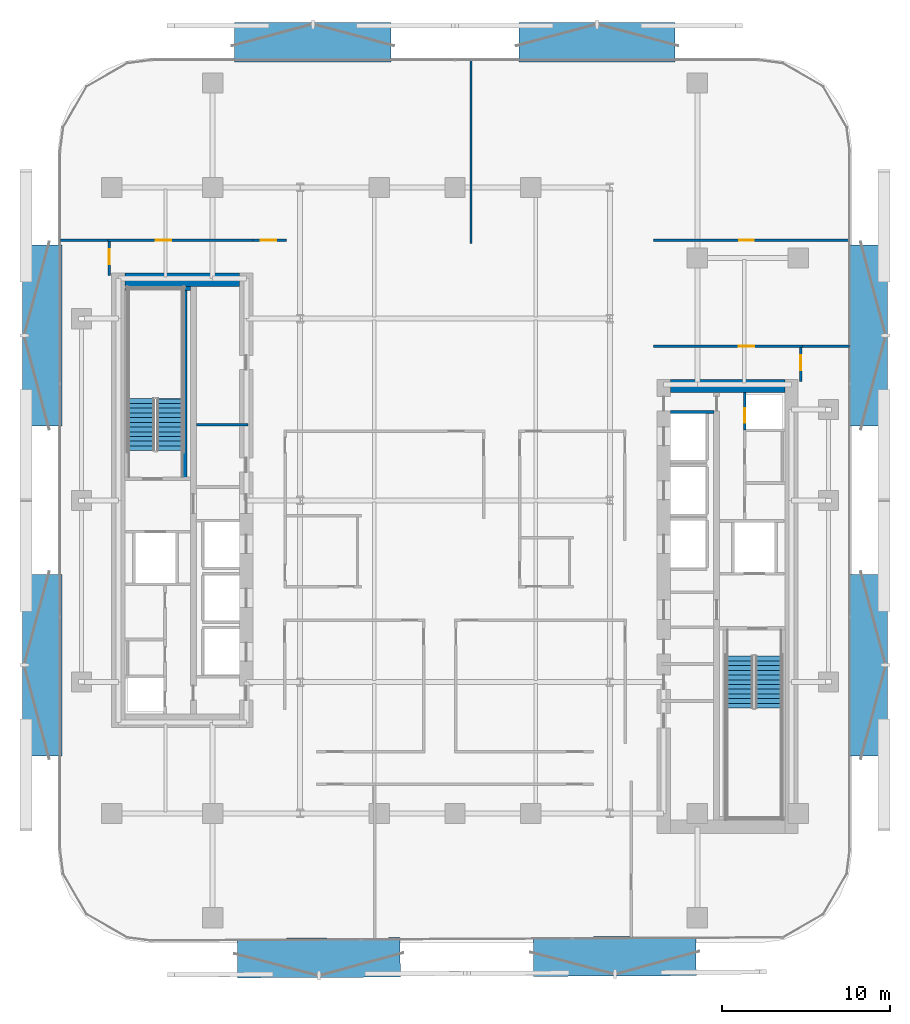
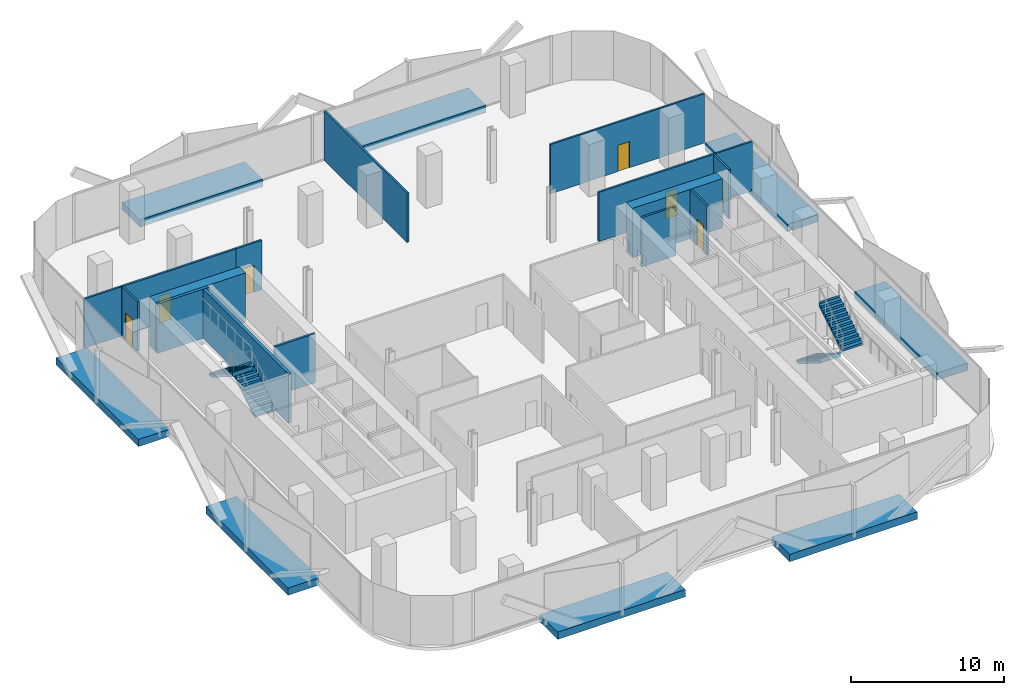
# One storey, part 6 of 15: 16 walls, 8 discrete accessories, 7 doors, 4 stair flights, 7 openings, 2 elements without a shape of their own.
"""IFC4 building model written with IfcOpenShell, lengths in metres."""

from ifc_helpers import new_model, si_unit, direction, frame, frame_2d, origin, origin_2d, place, context, subcontext, project, spatial, polyline, rectangle, outline, extrude, material, layer, layer_set, type_object, element, fill, aggregate, save


model = new_model("IFC4")

# Units and contexts
model_context = context("Model", 3, precision=1e-05, world=origin(), true_north=direction((0.0, 1.0)))
body_context = subcontext(model_context, "Body", "Model", "MODEL_VIEW")
ifc_project = project(units=[si_unit("LENGTHUNIT", "METRE"), si_unit("AREAUNIT", "SQUARE_METRE"), si_unit("VOLUMEUNIT", "CUBIC_METRE"), si_unit("PLANEANGLEUNIT", "RADIAN"), si_unit("MASSUNIT", "GRAM", prefix="KILO")], contexts=[model_context])

# Site, building, storey
site_placement = place(None, origin())
site = spatial("IfcSite", under=ifc_project, at=site_placement, CompositionType="ELEMENT")
building_placement = place(site_placement, origin())
building = spatial("IfcBuilding", under=site, at=building_placement, Name="Khairoan Windgate Tower", CompositionType="ELEMENT")
storey_placement = place(building_placement, frame((0.0, 0.0, 114.199951171875)))
storey = spatial("IfcBuildingStorey", under=building, at=storey_placement, Name="L26", CompositionType="ELEMENT", Elevation=114.199951171875)

# Walls
ifc_material_1 = material(Name="Concrete C40/50", Category="concrete")
ifc_layer_1 = layer(ifc_material_1, 0.159912109375, Name="Concrete C40/50")
ifc_layer_set_1 = layer_set([ifc_layer_1], Name="Concrete C40/50")
wall_type_1 = type_object("IfcWallType", Name="Core and Hoistway Enclosure Wall", PredefinedType="STANDARD", material=ifc_layer_set_1)
wall_1_placement = place(storey_placement, frame((12.800048828125, 5.25, 0.0), z_axis=(0.0, 0.0, 1.0), x_axis=(1.0, 0.0, 0.0)))
element("IfcWall", 1, at=wall_1_placement, inside=storey, type_object=wall_type_1, Name="L26 Core Shaft Wall SW-ESV-L26", PredefinedType="STANDARD", context=body_context, shape_type="SweptSolid", body=[
    extrude(rectangle(XDim=2.599853515625, YDim=0.159912109375, at=frame_2d((1.2998046875, 0.0))), origin(), (0.0, 0.0, 1.0), 3.93994140625),
])
ifc_material_2 = material(Name="Acoustic Fire-Rated Gypsum Partition", Category="gypsum")
ifc_layer_2 = layer(ifc_material_2, 0.139892578125, Name="Acoustic Fire-Rated Gypsum Partition")
ifc_layer_set_2 = layer_set([ifc_layer_2], Name="Acoustic Fire-Rated Gypsum Partition")
wall_type_2 = type_object("IfcWallType", Name="Inter-Tenancy Compartment Wall", PredefinedType="PARTITIONING", material=ifc_layer_set_2)
for number, where, z_axis, x_axis, name in (
    (2, (-23.455078125, 15.4599609375, 0.0), (0.0, 0.0, 1.0), (1.0, 0.0, 0.0), "L26 Interior Partition 039"),
    (3, (20.639892578125, 9.159912109375, 0.0), (0.0, 0.0, 1.0), (1.0, 0.0, 0.0), "L26 Interior Partition 040"),
):
    element("IfcWall", number, at=place(storey_placement, frame(where, z_axis=z_axis, x_axis=x_axis)), inside=storey, type_object=wall_type_2, Name=name, PredefinedType="PARTITIONING", context=body_context, shape_type="SweptSolid", body=[
        extrude(rectangle(XDim=2.815185546875, YDim=0.139892578125, at=frame_2d((1.40771484375, 0.0))), origin(), (0.0, 0.0, 1.0), 3.93994140625),
    ])

# Wall, opening, door
wall_2_placement = place(storey_placement, frame((11.81005859375, 15.4599609375, 0.0), z_axis=(0.0, 0.0, 1.0), x_axis=(1.0, 0.0, 0.0)))
wall_2 = element("IfcWall", 4, at=wall_2_placement, inside=storey, type_object=wall_type_2, Name="L26 Interior Partition 041", PredefinedType="PARTITIONING", context=body_context, shape_type="SweptSolid", body=[
    extrude(rectangle(XDim=11.64501953125, YDim=0.139892578125, at=frame_2d((5.822509765625, 0.0))), origin(), (0.0, 0.0, 1.0), 3.93994140625),
])
opening_1_placement = place(wall_2_placement, frame((5.09521484375, 0.0, 0.0)))
opening_1 = element("IfcOpeningElement", 5, at=opening_1_placement, cuts=wall_2, Name="Opening FD-SRV", PredefinedType="OPENING", context=body_context, shape_type="SweptSolid", body=[
    extrude(rectangle(XDim=0.85009765625, YDim=2.10009765625, at=frame_2d((0.425048828125, 1.050048828125))), frame((0.0, 0.079833984375, 0.0), z_axis=(0.0, -1.0, 0.0), x_axis=(1.0, 0.0, 0.0)), (0.0, 0.0, 1.0), 0.159912109375),
])
ifc_material_3 = material(Name="Steel S355", Category="steel")
door_type_1 = type_object("IfcDoorType", Name="Core Service and Riser Fire Door FD-SRV 850x2100", OperationType="NOTDEFINED", PredefinedType="DOOR", material=ifc_material_3)
door_1_placement = place(opening_1_placement, origin())
door_1 = element("IfcDoor", 6, at=door_1_placement, inside=storey, type_object=door_type_1, Name="L26 L26-41-L26-43 Door", OperationType="SINGLE_SWING_LEFT", OverallHeight=2.10009765625, OverallWidth=0.85009765625, PredefinedType="DOOR", context=body_context, shape_type="SweptSolid", body=[
    extrude(rectangle(XDim=0.85009765625, YDim=2.10009765625, at=frame_2d((0.425048828125, 1.050048828125))), frame((0.0, 0.02490234375, 0.0), z_axis=(0.0, -1.0, 0.0), x_axis=(1.0, 0.0, 0.0)), (0.0, 0.0, 1.0), 0.050048828125),
])
fill(opening_1, door_1)

# Walls
wall_3_placement = place(storey_placement, frame((0.951904296875, 15.280029296875, 0.0), z_axis=(0.0, 0.0, 1.0), x_axis=(0.0, 1.0, 0.0)))
element("IfcWall", 7, at=wall_3_placement, inside=storey, type_object=wall_type_2, Name="L26 Interior Partition 042", PredefinedType="PARTITIONING", context=body_context, shape_type="SweptSolid", body=[
    extrude(rectangle(XDim=10.875, YDim=0.139892578125, at=frame_2d((5.4375, 0.0))), origin(), (0.0, 0.0, 1.0), 3.93994140625),
])
ifc_material_4 = material(Name="Concrete C40/50", Category="concrete")
ifc_layer_3 = layer(ifc_material_4, 0.159912109375, Name="Concrete C40/50")
ifc_layer_set_3 = layer_set([ifc_layer_3], Name="Concrete C40/50")
wall_type_3 = type_object("IfcWallType", Name="Plant and Refuge Compartment Wall", PredefinedType="PARTITIONING", material=ifc_layer_set_3)
wall_4_placement = place(storey_placement, frame((-15.375, 4.5, 0.0), z_axis=(0.0, 0.0, 1.0), x_axis=(1.0, 0.0, 0.0)))
element("IfcWall", 8, at=wall_4_placement, inside=storey, type_object=wall_type_3, Name="L26 Interior Partition 006", PredefinedType="PARTITIONING", context=body_context, shape_type="SweptSolid", body=[
    extrude(rectangle(XDim=3.06494140625, YDim=0.159912109375, at=frame_2d((1.532470703125, 0.0))), origin(), (0.0, 0.0, 1.0), 3.93994140625),
])

# Wall, opening, door
wall_5_placement = place(storey_placement, frame((17.22998046875, 4.169921875, 0.0), z_axis=(0.0, 0.0, 1.0), x_axis=(0.0, 1.0, 0.0)))
wall_5 = element("IfcWall", 9, at=wall_5_placement, inside=storey, type_object=wall_type_3, Name="L26 Interior Partition 007", PredefinedType="PARTITIONING", context=body_context, shape_type="SweptSolid", body=[
    extrude(rectangle(XDim=2.22998046875, YDim=0.159912109375, at=frame_2d((1.114990234375, 0.0))), origin(), (0.0, 0.0, 1.0), 3.93994140625),
])
opening_2_placement = place(wall_5_placement, frame((0.4599609375, 0.0, 0.0)))
opening_2 = element("IfcOpeningElement", 10, at=opening_2_placement, cuts=wall_5, Name="Opening FD-SRV", PredefinedType="OPENING", context=body_context, shape_type="SweptSolid", body=[
    extrude(rectangle(XDim=0.85009765625, YDim=2.10009765625, at=frame_2d((0.425048828125, 1.050048828125))), frame((0.0, 0.08984375, 0.0), z_axis=(0.0, -1.0, 0.0), x_axis=(1.0, 0.0, 0.0)), (0.0, 0.0, 1.0), 0.179931640625),
])
door_2_placement = place(opening_2_placement, origin())
door_2 = element("IfcDoor", 11, at=door_2_placement, inside=storey, type_object=door_type_1, Name="L26 L26-18-L26-19 Door", OperationType="SINGLE_SWING_LEFT", OverallHeight=2.10009765625, OverallWidth=0.85009765625, PredefinedType="DOOR", context=body_context, shape_type="SweptSolid", body=[
    extrude(rectangle(XDim=0.85009765625, YDim=2.10009765625, at=frame_2d((0.425048828125, 1.050048828125))), frame((0.0, 0.02490234375, 0.0), z_axis=(0.0, -1.0, 0.0), x_axis=(1.0, 0.0, 0.0)), (0.0, 0.0, 1.0), 0.050048828125),
])
fill(opening_2, door_2)

ifc_material_5 = material(Name="Acoustic Fire-Rated Gypsum Partition", Category="gypsum")
ifc_layer_4 = layer(ifc_material_5, 0.14990234375, Name="Acoustic Fire-Rated Gypsum Partition")
ifc_layer_set_4 = layer_set([ifc_layer_4], Name="Acoustic Fire-Rated Gypsum Partition")
wall_type_4 = type_object("IfcWallType", Name="Rated Corridor Partition Wall", PredefinedType="PARTITIONING", material=ifc_layer_set_4)
wall_6_placement = place(storey_placement, frame((-11.989990234375, 15.4599609375, 0.0), z_axis=(0.0, 0.0, 1.0), x_axis=(1.0, 0.0, 0.0)))
wall_6 = element("IfcWall", 12, at=wall_6_placement, inside=storey, type_object=wall_type_4, Name="L26 Interior Partition 014", PredefinedType="PARTITIONING", context=body_context, shape_type="SweptSolid", body=[
    extrude(rectangle(XDim=1.97998046875, YDim=0.14990234375, at=frame_2d((0.989990234375, 0.0))), origin(), (0.0, 0.0, 1.0), 3.93994140625),
])
opening_3_placement = place(wall_6_placement, frame((0.4599609375, 0.0, 0.0)))
opening_3 = element("IfcOpeningElement", 13, at=opening_3_placement, cuts=wall_6, Name="Opening FD-ENT", PredefinedType="OPENING", context=body_context, shape_type="SweptSolid", body=[
    extrude(rectangle(XDim=0.89990234375, YDim=2.14990234375, at=frame_2d((0.449951171875, 1.074951171875))), frame((0.0, 0.0849609375, 0.0), z_axis=(0.0, -1.0, 0.0), x_axis=(1.0, 0.0, 0.0)), (0.0, 0.0, 1.0), 0.169921875),
])
ifc_material_6 = material(Name="Timber Fire-Rated Core", Category="wood")
door_type_2 = type_object("IfcDoorType", Name="Unit and Office Fire Entrance Door FD-ENT 900x2150", OperationType="NOTDEFINED", PredefinedType="DOOR", material=ifc_material_6)
door_3_placement = place(opening_3_placement, origin())
door_3 = element("IfcDoor", 14, at=door_3_placement, inside=storey, type_object=door_type_2, Name="L26 L26-30-L26-42 Door", OperationType="SINGLE_SWING_RIGHT", OverallHeight=2.14990234375, OverallWidth=0.89990234375, PredefinedType="DOOR", context=body_context, shape_type="SweptSolid", body=[
    extrude(rectangle(XDim=0.89990234375, YDim=2.14990234375, at=frame_2d((0.449951171875, 1.074951171875))), frame((0.0, 0.02490234375, 0.0), z_axis=(0.0, -1.0, 0.0), x_axis=(1.0, 0.0, 0.0)), (0.0, 0.0, 1.0), 0.050048828125),
])
fill(opening_3, door_3)

wall_7_placement = place(storey_placement, frame((-20.5400390625, 13.360107421875, 0.0), z_axis=(0.0, 0.0, 1.0), x_axis=(0.0, 1.0, 0.0)))
wall_7 = element("IfcWall", 15, at=wall_7_placement, inside=storey, type_object=wall_type_4, Name="L26 Interior Partition 029", PredefinedType="PARTITIONING", context=body_context, shape_type="SweptSolid", body=[
    extrude(rectangle(XDim=2.02490234375, YDim=0.14990234375, at=frame_2d((1.012451171875, 0.0))), origin(), (0.0, 0.0, 1.0), 3.93994140625),
])
opening_4_placement = place(wall_7_placement, frame((0.6650390625, 0.0, 0.0)))
opening_4 = element("IfcOpeningElement", 16, at=opening_4_placement, cuts=wall_7, Name="Opening FD-ENT", PredefinedType="OPENING", context=body_context, shape_type="SweptSolid", body=[
    extrude(rectangle(XDim=0.89990234375, YDim=2.14990234375, at=frame_2d((0.449951171875, 1.074951171875))), frame((0.0, 0.0849609375, 0.0), z_axis=(0.0, -1.0, 0.0), x_axis=(1.0, 0.0, 0.0)), (0.0, 0.0, 1.0), 0.169921875),
])
door_4_placement = place(opening_4_placement, origin())
door_4 = element("IfcDoor", 17, at=door_4_placement, inside=storey, type_object=door_type_2, Name="L26 L26-35-L26-39 Door", OperationType="SINGLE_SWING_LEFT", OverallHeight=2.14990234375, OverallWidth=0.89990234375, PredefinedType="DOOR", context=body_context, shape_type="SweptSolid", body=[
    extrude(rectangle(XDim=0.89990234375, YDim=2.14990234375, at=frame_2d((0.449951171875, 1.074951171875))), frame((0.0, 0.02490234375, 0.0), z_axis=(0.0, -1.0, 0.0), x_axis=(1.0, 0.0, 0.0)), (0.0, 0.0, 1.0), 0.050048828125),
])
fill(opening_4, door_4)

wall_8_placement = place(storey_placement, frame((-20.639892578125, 15.4599609375, 0.0), z_axis=(0.0, 0.0, 1.0), x_axis=(1.0, 0.0, 0.0)))
wall_8 = element("IfcWall", 18, at=wall_8_placement, inside=storey, type_object=wall_type_4, Name="L26 Interior Partition 030", PredefinedType="PARTITIONING", context=body_context, shape_type="SweptSolid", body=[
    extrude(rectangle(XDim=8.64990234375, YDim=0.14990234375, at=frame_2d((4.324951171875, 0.0))), origin(), (0.0, 0.0, 1.0), 3.93994140625),
])
opening_5_placement = place(wall_8_placement, frame((2.87060546875, 0.0, 0.0)))
opening_5 = element("IfcOpeningElement", 19, at=opening_5_placement, cuts=wall_8, Name="Opening FD-ENT", PredefinedType="OPENING", context=body_context, shape_type="SweptSolid", body=[
    extrude(rectangle(XDim=0.89990234375, YDim=2.14990234375, at=frame_2d((0.449951171875, 1.074951171875))), frame((0.0, 0.0849609375, 0.0), z_axis=(0.0, -1.0, 0.0), x_axis=(1.0, 0.0, 0.0)), (0.0, 0.0, 1.0), 0.169921875),
])
door_5_placement = place(opening_5_placement, origin())
door_5 = element("IfcDoor", 20, at=door_5_placement, inside=storey, type_object=door_type_2, Name="L26 L26-35-L26-42 Door", OperationType="SINGLE_SWING_RIGHT", OverallHeight=2.14990234375, OverallWidth=0.89990234375, PredefinedType="DOOR", context=body_context, shape_type="SweptSolid", body=[
    extrude(rectangle(XDim=0.89990234375, YDim=2.14990234375, at=frame_2d((0.449951171875, 1.074951171875))), frame((0.0, 0.02490234375, 0.0), z_axis=(0.0, -1.0, 0.0), x_axis=(1.0, 0.0, 0.0)), (0.0, 0.0, 1.0), 0.050048828125),
])
fill(opening_5, door_5)

wall_9_placement = place(storey_placement, frame((20.5400390625, 7.06005859375, 0.0), z_axis=(0.0, 0.0, 1.0), x_axis=(0.0, 1.0, 0.0)))
wall_9 = element("IfcWall", 21, at=wall_9_placement, inside=storey, type_object=wall_type_4, Name="L26 Interior Partition 031", PredefinedType="PARTITIONING", context=body_context, shape_type="SweptSolid", body=[
    extrude(rectangle(XDim=2.02490234375, YDim=0.14990234375, at=frame_2d((1.012451171875, 0.0))), origin(), (0.0, 0.0, 1.0), 3.93994140625),
])
opening_6_placement = place(wall_9_placement, frame((0.6650390625, 0.0, 0.0)))
opening_6 = element("IfcOpeningElement", 22, at=opening_6_placement, cuts=wall_9, Name="Opening FD-ENT", PredefinedType="OPENING", context=body_context, shape_type="SweptSolid", body=[
    extrude(rectangle(XDim=0.89990234375, YDim=2.14990234375, at=frame_2d((0.449951171875, 1.074951171875))), frame((0.0, 0.0849609375, 0.0), z_axis=(0.0, -1.0, 0.0), x_axis=(1.0, 0.0, 0.0)), (0.0, 0.0, 1.0), 0.169921875),
])
door_6_placement = place(opening_6_placement, origin())
door_6 = element("IfcDoor", 23, at=door_6_placement, inside=storey, type_object=door_type_2, Name="L26 L26-36-L26-40 Door", OperationType="SINGLE_SWING_LEFT", OverallHeight=2.14990234375, OverallWidth=0.89990234375, PredefinedType="DOOR", context=body_context, shape_type="SweptSolid", body=[
    extrude(rectangle(XDim=0.89990234375, YDim=2.14990234375, at=frame_2d((0.449951171875, 1.074951171875))), frame((0.0, 0.02490234375, 0.0), z_axis=(0.0, -1.0, 0.0), x_axis=(1.0, 0.0, 0.0)), (0.0, 0.0, 1.0), 0.050048828125),
])
fill(opening_6, door_6)

wall_10_placement = place(storey_placement, frame((11.81005859375, 9.159912109375, 0.0), z_axis=(0.0, 0.0, 1.0), x_axis=(1.0, 0.0, 0.0)))
wall_10 = element("IfcWall", 24, at=wall_10_placement, inside=storey, type_object=wall_type_4, Name="L26 Interior Partition 032", PredefinedType="PARTITIONING", context=body_context, shape_type="SweptSolid", body=[
    extrude(rectangle(XDim=8.829833984375, YDim=0.14990234375, at=frame_2d((4.4150390625, 0.0))), origin(), (0.0, 0.0, 1.0), 3.93994140625),
])
opening_7_placement = place(wall_10_placement, frame((5.066650390625, 0.0, 0.0)))
opening_7 = element("IfcOpeningElement", 25, at=opening_7_placement, cuts=wall_10, Name="Opening FD-ENT", PredefinedType="OPENING", context=body_context, shape_type="SweptSolid", body=[
    extrude(rectangle(XDim=0.89990234375, YDim=2.14990234375, at=frame_2d((0.449951171875, 1.074951171875))), frame((0.0, 0.0849609375, 0.0), z_axis=(0.0, -1.0, 0.0), x_axis=(1.0, 0.0, 0.0)), (0.0, 0.0, 1.0), 0.169921875),
])
door_7_placement = place(opening_7_placement, origin())
door_7 = element("IfcDoor", 26, at=door_7_placement, inside=storey, type_object=door_type_2, Name="L26 L26-36-L26-41 Door", OperationType="SINGLE_SWING_RIGHT", OverallHeight=2.14990234375, OverallWidth=0.89990234375, PredefinedType="DOOR", context=body_context, shape_type="SweptSolid", body=[
    extrude(rectangle(XDim=0.89990234375, YDim=2.14990234375, at=frame_2d((0.449951171875, 1.074951171875))), frame((0.0, 0.02490234375, 0.0), z_axis=(0.0, -1.0, 0.0), x_axis=(1.0, 0.0, 0.0)), (0.0, 0.0, 1.0), 0.050048828125),
])
fill(opening_7, door_7)

# Walls
ifc_material_7 = material(Name="Concrete C70/85", Category="concrete")
ifc_layer_5 = layer(ifc_material_7, 0.800048828125, Name="Concrete C70/85")
ifc_layer_set_5 = layer_set([ifc_layer_5], Name="Concrete C70/85")
wall_type_5 = type_object("IfcWallType", Name="Shear Wall CW-E1 800mm", PredefinedType="SHEAR", material=ifc_layer_set_5)
wall_11_placement = place(storey_placement, frame((12.800048828125, 6.800048828125, 0.0), z_axis=(0.0, 0.0, 1.0), x_axis=(1.0, 0.0, 0.0)))
element("IfcWall", 27, at=wall_11_placement, inside=storey, type_object=wall_type_5, Name="E Core North Shear Wall L26", PredefinedType="SHEAR", context=body_context, shape_type="SweptSolid", body=[
    extrude(rectangle(XDim=6.800048828125, YDim=0.800048828125, at=frame_2d((3.39990234375, 0.0))), origin(), (0.0, 0.0, 1.0), 3.93994140625),
])
ifc_material_8 = material(Name="Concrete C70/85", Category="concrete")
ifc_layer_6 = layer(ifc_material_8, 0.800048828125, Name="Concrete C70/85")
ifc_layer_set_6 = layer_set([ifc_layer_6], Name="Concrete C70/85")
wall_type_6 = type_object("IfcWallType", Name="Shear Wall CW-W1 800mm", PredefinedType="SHEAR", material=ifc_layer_set_6)
wall_12_placement = place(storey_placement, frame((-19.60009765625, 13.10009765625, 0.0), z_axis=(0.0, 0.0, 1.0), x_axis=(1.0, 0.0, 0.0)))
element("IfcWall", 28, at=wall_12_placement, inside=storey, type_object=wall_type_6, Name="W Core North Shear Wall L26", PredefinedType="SHEAR", context=body_context, shape_type="SweptSolid", body=[
    extrude(rectangle(XDim=6.800048828125, YDim=0.800048828125, at=frame_2d((3.39990234375, 0.0))), origin(), (0.0, 0.0, 1.0), 3.93994140625),
])
ifc_material_9 = material(Name="Concrete C50/60", Category="concrete")
ifc_layer_7 = layer(ifc_material_9, 0.219970703125, Name="Concrete C50/60")
ifc_layer_set_7 = layer_set([ifc_layer_7], Name="Concrete C50/60")
wall_type_7 = type_object("IfcWallType", Name="Shear Wall SW-ST 220mm", PredefinedType="SHEAR", material=ifc_layer_set_7)
wall_13_placement = place(storey_placement, frame((-16.0400390625, 1.2900390625, 0.0), z_axis=(0.0, 0.0, 1.0), x_axis=(0.0, 1.0, 0.0)))
element("IfcWall", 29, at=wall_13_placement, inside=storey, type_object=wall_type_7, Name="L26 Stair ST2 East Bearing Wall", PredefinedType="SHEAR", context=body_context, shape_type="SweptSolid", body=[
    extrude(rectangle(XDim=11.300048828125, YDim=0.219970703125, at=frame_2d((5.64990234375, 0.0))), origin(), (0.0, 0.0, 1.0), 3.93994140625),
])
wall_14_placement = place(storey_placement, frame((-19.6201171875, 12.590087890625, 0.0), z_axis=(0.0, 0.0, 1.0), x_axis=(1.0, 0.0, 0.0)))
element("IfcWall", 30, at=wall_14_placement, inside=storey, type_object=wall_type_7, Name="L26 Stair ST2 North Bearing Wall", PredefinedType="SHEAR", context=body_context, shape_type="SweptSolid", body=[
    extrude(rectangle(XDim=3.9150390625, YDim=0.219970703125, at=frame_2d((1.95751953125, 0.0))), origin(), (0.0, 0.0, 1.0), 3.93994140625),
])

# Stair, stair flights
ifc_material_10 = material(Name="Concrete C40/50", Category="concrete")
stair_type = type_object("IfcStairType", Name="Tower Core Dog-Leg Stair ST-T1 1560mm", PredefinedType="HALF_TURN_STAIR", material=ifc_material_10)
stair_1_placement = place(storey_placement, origin())
stair_1 = element("IfcStair", 31, at=stair_1_placement, inside=storey, type_object=stair_type, Name="L26 Stair ST1", PredefinedType="HALF_TURN_STAIR")
ifc_material_11 = material(Name="Concrete C40/50", Category="concrete")
ifc_layer_8 = layer(ifc_material_11, 0.14990234375, Name="Concrete C40/50")
ifc_layer_set_8 = layer_set([ifc_layer_8], Name="Concrete C40/50")
stair_flight_type = type_object("IfcStairFlightType", Name="Tower Core Stair Flight STF-1560", PredefinedType="STRAIGHT", material=ifc_layer_set_8)
stair_flight_1_placement = place(storey_placement, frame((16.929931640625, -9.260009765625, 0.0), z_axis=(0.0, 0.0, 1.0), x_axis=(0.0, -1.0, 0.0)))
stair_flight_1 = element("IfcStairFlight", 32, at=stair_flight_1_placement, type_object=stair_flight_type, Name="ST1 flight 1", NumberOfRisers=12, NumberOfTreads=11, PredefinedType="STRAIGHT", RiserHeight=0.175, TreadLength=0.28, context=body_context, shape_type="SweptSolid", body=[
    extrude(outline(polyline([(-0.00390625, 0.0), (-0.00390625, 0.175048828125), (0.0, 0.175048828125), (0.280029296875, 0.175048828125), (0.280029296875, 0.35009765625), (0.56005859375, 0.35009765625), (0.56005859375, 0.52490234375), (0.840087890625, 0.52490234375), (0.840087890625, 0.699951171875), (1.1201171875, 0.699951171875), (1.1201171875, 0.875), (1.39990234375, 0.875), (1.39990234375, 1.050048828125), (1.679931640625, 1.050048828125), (1.679931640625, 1.22509765625), (1.9599609375, 1.22509765625), (1.9599609375, 1.39990234375), (2.239990234375, 1.39990234375), (2.239990234375, 1.574951171875), (2.52001953125, 1.574951171875), (2.52001953125, 1.75), (2.800048828125, 1.75), (2.800048828125, 1.925048828125), (3.080078125, 1.925048828125), (3.080078125, 2.10009765625), (3.083984375, 2.10009765625), (3.083984375, 1.748291015625), (0.28271484375, 0.0), (-0.00390625, 0.0)])), frame((0.0, 0.780029296875, 0.0), z_axis=(0.0, -1.0, 0.0), x_axis=(1.0, 0.0, 0.0)), (0.0, 0.0, 1.0), 1.56005859375),
])
stair_flight_2_placement = place(storey_placement, frame((18.639892578125, -12.340087890625, 2.10009765625), z_axis=(0.0, 0.0, 1.0), x_axis=(0.0, 1.0, 0.0)))
stair_flight_2 = element("IfcStairFlight", 33, at=stair_flight_2_placement, type_object=stair_flight_type, Name="ST1 flight 2", NumberOfRisers=12, NumberOfTreads=11, PredefinedType="STRAIGHT", RiserHeight=0.175, TreadLength=0.28, context=body_context, shape_type="SweptSolid", body=[
    extrude(outline(polyline([(-0.00390625, 0.0), (-0.00390625, 0.175048828125), (0.0, 0.175048828125), (0.280029296875, 0.175048828125), (0.280029296875, 0.35009765625), (0.56005859375, 0.35009765625), (0.56005859375, 0.52490234375), (0.840087890625, 0.52490234375), (0.840087890625, 0.699951171875), (1.1201171875, 0.699951171875), (1.1201171875, 0.875), (1.39990234375, 0.875), (1.39990234375, 1.050048828125), (1.679931640625, 1.050048828125), (1.679931640625, 1.22509765625), (1.9599609375, 1.22509765625), (1.9599609375, 1.39990234375), (2.239990234375, 1.39990234375), (2.239990234375, 1.574951171875), (2.52001953125, 1.574951171875), (2.52001953125, 1.75), (2.800048828125, 1.75), (2.800048828125, 1.925048828125), (3.080078125, 1.925048828125), (3.080078125, 2.10009765625), (3.083984375, 2.10009765625), (3.083984375, 1.748291015625), (0.28271484375, 0.0), (-0.00390625, 0.0)])), frame((0.0, 0.780029296875, 0.0), z_axis=(0.0, -1.0, 0.0), x_axis=(1.0, 0.0, 0.0)), (0.0, 0.0, 1.0), 1.56005859375),
])
aggregate(stair_1, [stair_flight_1, stair_flight_2])

stair_2_placement = place(storey_placement, origin())
stair_2 = element("IfcStair", 34, at=stair_2_placement, inside=storey, type_object=stair_type, Name="L26 Stair ST2", PredefinedType="HALF_TURN_STAIR")
stair_flight_3_placement = place(storey_placement, frame((-16.929931640625, 2.9599609375, 0.0), z_axis=(0.0, 0.0, 1.0), x_axis=(0.0, 1.0, 0.0)))
stair_flight_3 = element("IfcStairFlight", 35, at=stair_flight_3_placement, type_object=stair_flight_type, Name="ST2 flight 1", NumberOfRisers=12, NumberOfTreads=11, PredefinedType="STRAIGHT", RiserHeight=0.175, TreadLength=0.28, context=body_context, shape_type="SweptSolid", body=[
    extrude(outline(polyline([(-0.00390625, 0.0), (-0.00390625, 0.175048828125), (0.0, 0.175048828125), (0.280029296875, 0.175048828125), (0.280029296875, 0.35009765625), (0.56005859375, 0.35009765625), (0.56005859375, 0.52490234375), (0.840087890625, 0.52490234375), (0.840087890625, 0.699951171875), (1.1201171875, 0.699951171875), (1.1201171875, 0.875), (1.39990234375, 0.875), (1.39990234375, 1.050048828125), (1.679931640625, 1.050048828125), (1.679931640625, 1.22509765625), (1.9599609375, 1.22509765625), (1.9599609375, 1.39990234375), (2.239990234375, 1.39990234375), (2.239990234375, 1.574951171875), (2.52001953125, 1.574951171875), (2.52001953125, 1.75), (2.800048828125, 1.75), (2.800048828125, 1.925048828125), (3.080078125, 1.925048828125), (3.080078125, 2.10009765625), (3.083984375, 2.10009765625), (3.083984375, 1.748291015625), (0.28271484375, 0.0), (-0.00390625, 0.0)])), frame((0.0, 0.780029296875, 0.0), z_axis=(0.0, -1.0, 0.0), x_axis=(1.0, 0.0, 0.0)), (0.0, 0.0, 1.0), 1.56005859375),
])
stair_flight_4_placement = place(storey_placement, frame((-18.639892578125, 6.0400390625, 2.10009765625), z_axis=(0.0, 0.0, 1.0), x_axis=(0.0, -1.0, 0.0)))
stair_flight_4 = element("IfcStairFlight", 36, at=stair_flight_4_placement, type_object=stair_flight_type, Name="ST2 flight 2", NumberOfRisers=12, NumberOfTreads=11, PredefinedType="STRAIGHT", RiserHeight=0.175, TreadLength=0.28, context=body_context, shape_type="SweptSolid", body=[
    extrude(outline(polyline([(-0.00390625, 0.0), (-0.00390625, 0.175048828125), (0.0, 0.175048828125), (0.280029296875, 0.175048828125), (0.280029296875, 0.35009765625), (0.56005859375, 0.35009765625), (0.56005859375, 0.52490234375), (0.840087890625, 0.52490234375), (0.840087890625, 0.699951171875), (1.1201171875, 0.699951171875), (1.1201171875, 0.875), (1.39990234375, 0.875), (1.39990234375, 1.050048828125), (1.679931640625, 1.050048828125), (1.679931640625, 1.22509765625), (1.9599609375, 1.22509765625), (1.9599609375, 1.39990234375), (2.239990234375, 1.39990234375), (2.239990234375, 1.574951171875), (2.52001953125, 1.574951171875), (2.52001953125, 1.75), (2.800048828125, 1.75), (2.800048828125, 1.925048828125), (3.080078125, 1.925048828125), (3.080078125, 2.10009765625), (3.083984375, 2.10009765625), (3.083984375, 1.748291015625), (0.28271484375, 0.0), (-0.00390625, 0.0)])), frame((0.0, 0.780029296875, 0.0), z_axis=(0.0, -1.0, 0.0), x_axis=(1.0, 0.0, 0.0)), (0.0, 0.0, 1.0), 1.56005859375),
])
aggregate(stair_2, [stair_flight_3, stair_flight_4])

# Discrete accessories
ifc_material_12 = material(Name="Steel S355", Category="steel")
discrete_accessory_type = type_object("IfcDiscreteAccessoryType", Name="Solar Screen Outrigger Slab Bracket SSB-1", PredefinedType="BRACKET", material=ifc_material_12)
for number, where, z_axis, x_axis, name in (
    (37, (9.497802734375, -27.09521484375, -0.419921875), (0.0, 0.0, 1.0), (-0.999988059021, -0.004886902454, 0.0), "L26 Solar Screen Outrigger Bracket 153"),
    (38, (-8.091064453125, -27.18115234375, -0.419921875), (0.0, 0.0, 1.0), (-0.999988059021, -0.004886902454, 0.0), "L26 Solar Screen Outrigger Bracket 154"),
):
    element("IfcDiscreteAccessory", number, at=place(storey_placement, frame(where, z_axis=z_axis, x_axis=x_axis)), inside=storey, type_object=discrete_accessory_type, Name=name, PredefinedType="BRACKET", context=body_context, shape_type="SweptSolid", body=[
        extrude(rectangle(XDim=9.674072265625, YDim=2.340087890625, at=origin_2d()), origin(), (0.0, 0.0, 1.0), 0.580078125),
    ])
for number, where, z_axis, x_axis, name in (
    (39, (-24.530029296875, -9.79541015625, -0.419921875), (0.0, 0.0, 1.0), (0.0, 1.0, 0.0), "L26 Solar Screen Outrigger Bracket 155"),
    (40, (-24.530029296875, 9.79541015625, -0.419921875), (0.0, 0.0, 1.0), (0.0, 1.0, 0.0), "L26 Solar Screen Outrigger Bracket 156"),
):
    element("IfcDiscreteAccessory", number, at=place(storey_placement, frame(where, z_axis=z_axis, x_axis=x_axis)), inside=storey, type_object=discrete_accessory_type, Name=name, PredefinedType="BRACKET", context=body_context, shape_type="SweptSolid", body=[
        extrude(rectangle(XDim=10.77490234375, YDim=2.340087890625, at=origin_2d()), origin(), (0.0, 0.0, 1.0), 0.580078125),
    ])
for number, where, z_axis, x_axis, name in (
    (41, (-8.4453125, 27.22998046875, -0.419921875), (0.0, 0.0, 1.0), (1.0, 0.0, 0.0), "L26 Solar Screen Outrigger Bracket 157"),
    (42, (8.4453125, 27.22998046875, -0.419921875), (0.0, 0.0, 1.0), (1.0, 0.0, 0.0), "L26 Solar Screen Outrigger Bracket 158"),
):
    element("IfcDiscreteAccessory", number, at=place(storey_placement, frame(where, z_axis=z_axis, x_axis=x_axis)), inside=storey, type_object=discrete_accessory_type, Name=name, PredefinedType="BRACKET", context=body_context, shape_type="SweptSolid", body=[
        extrude(rectangle(XDim=9.2900390625, YDim=2.340087890625, at=origin_2d()), origin(), (0.0, 0.0, 1.0), 0.580078125),
    ])
for number, where, z_axis, x_axis, name in (
    (43, (24.530029296875, 9.79541015625, -0.419921875), (0.0, 0.0, 1.0), (0.0, -1.0, 0.0), "L26 Solar Screen Outrigger Bracket 159"),
    (44, (24.530029296875, -9.79541015625, -0.419921875), (0.0, 0.0, 1.0), (0.0, -1.0, 0.0), "L26 Solar Screen Outrigger Bracket 160"),
):
    element("IfcDiscreteAccessory", number, at=place(storey_placement, frame(where, z_axis=z_axis, x_axis=x_axis)), inside=storey, type_object=discrete_accessory_type, Name=name, PredefinedType="BRACKET", context=body_context, shape_type="SweptSolid", body=[
        extrude(rectangle(XDim=10.77490234375, YDim=2.340087890625, at=origin_2d()), origin(), (0.0, 0.0, 1.0), 0.580078125),
    ])

save(model, "model.ifc")
